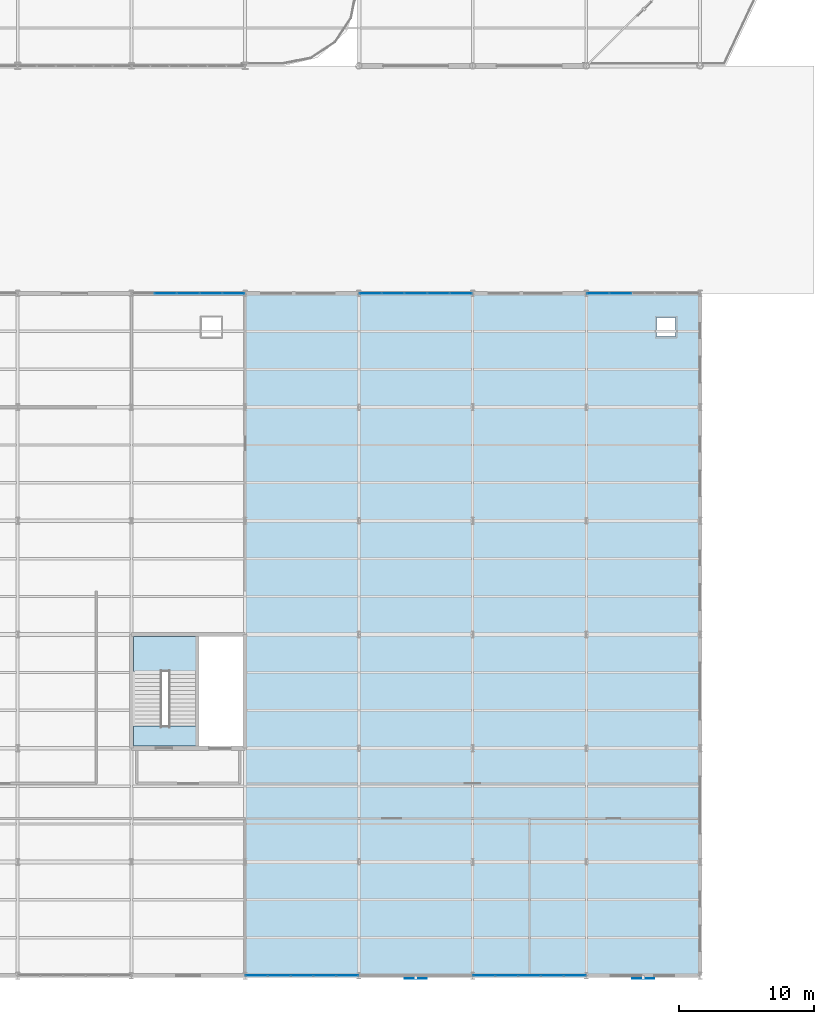
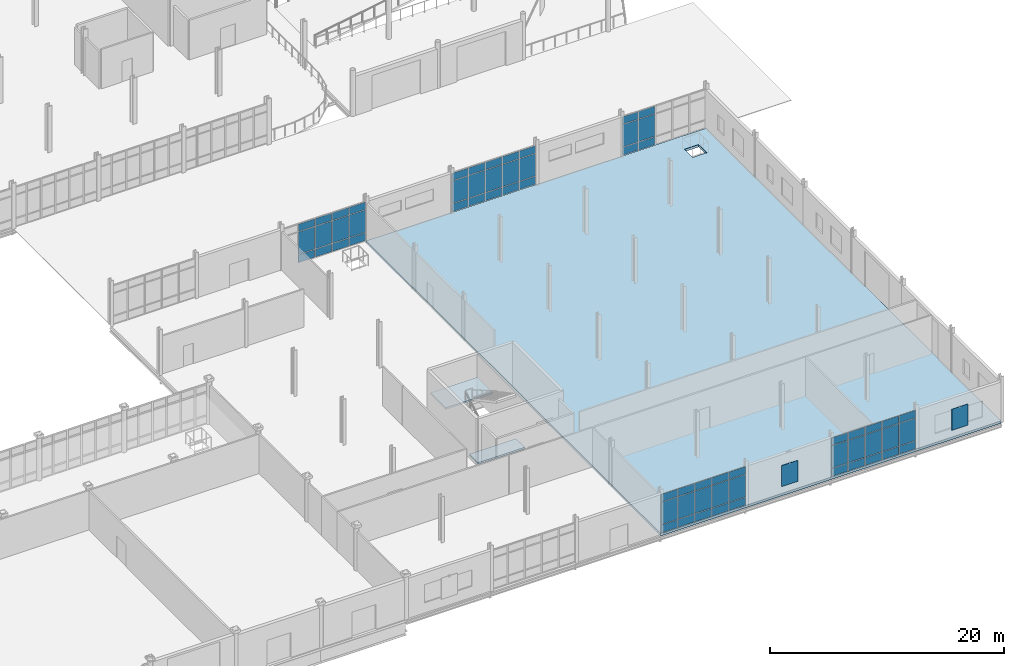
# One storey, part 120 of 145: 65 plates, 3 slabs, 6 elements without a shape of their own.
"""IFC4 building model written with IfcOpenShell, lengths in metres."""

import ifcopenshell
import ifcopenshell.guid

model = None  # the IFC model being written
_history = None  # IfcOwnerHistory: only IFC2X3 demands one
_inside = {}  # id of a spatial element -> (the spatial element, [elements in it])
_under = {}  # id of a project, library or spatial element -> (it, [spatial elements below it])
_declared = {}  # id of a project -> (the project, [libraries it declares])
_typed = {}  # id of a type object -> (the type object, [elements of that type])
_made_of = {}  # id of a material, layer set ... -> (it, [elements and type objects made of it])


def new_model(schema):
    """Start an empty IFC model of exactly this schema.

    Asked for "IFC4X3", IfcOpenShell would pick the latest addendum, in which some entities
    have other attributes; the version numbers below select the first issue.
    IFC2X3 requires an IfcOwnerHistory on every rooted entity: one is made here for all.
    """
    global model, _history
    if schema == "IFC4X3":
        model = ifcopenshell.file(schema_version=(4, 3, 0, 0))
    else:
        model = ifcopenshell.file(schema=schema)
    _inside.clear()
    _under.clear()
    _declared.clear()
    _typed.clear()
    _made_of.clear()
    _history = None
    if model.schema == "IFC2X3":
        org = make("IfcOrganization", Name="unknown")
        user = make(
            "IfcPersonAndOrganization",
            ThePerson=make("IfcPerson", FamilyName="unknown"),
            TheOrganization=org,
        )
        app = make(
            "IfcApplication",
            ApplicationDeveloper=org,
            Version="unknown",
            ApplicationFullName="unknown",
            ApplicationIdentifier="unknown",
        )
        _history = make(
            "IfcOwnerHistory",
            OwningUser=user,
            OwningApplication=app,
            ChangeAction="ADDED",
            CreationDate=0,
        )
    return model


def make(cls, **values):
    """One entity of the class cls with the attributes given. An attribute that is None is left unset."""
    return model.create_entity(
        cls, **{name: value for name, value in values.items() if value is not None}
    )


def rooted(cls, **values):
    """An entity with a GlobalId (a new one), such as an element, a storey or a relation."""
    return make(cls, GlobalId=ifcopenshell.guid.new(), OwnerHistory=_history, **values)


def si_unit(unit_type, name, prefix=None):
    """IfcSIUnit, for example si_unit("LENGTHUNIT", "METRE", prefix="MILLI")."""
    return make("IfcSIUnit", UnitType=unit_type, Prefix=prefix, Name=name)


def assignment(units):
    """IfcUnitAssignment: the units of a project."""
    return None if units is None else make("IfcUnitAssignment", Units=units)


def point(xyz):
    """IfcCartesianPoint."""
    return None if xyz is None else make("IfcCartesianPoint", Coordinates=xyz)


def direction(xyz):
    """IfcDirection."""
    return None if xyz is None else make("IfcDirection", DirectionRatios=xyz)


def frame(location, z_axis=None, x_axis=None):
    """IfcAxis2Placement3D, a coordinate frame: its origin and axes. An axis left out is left unset."""
    return make(
        "IfcAxis2Placement3D",
        Location=point(location),
        Axis=direction(z_axis),
        RefDirection=direction(x_axis),
    )


def frame_2d(location, x_axis=None):
    """IfcAxis2Placement2D, a coordinate frame in the plane: its origin and x axis."""
    return make(
        "IfcAxis2Placement2D", Location=point(location), RefDirection=direction(x_axis)
    )


def origin():
    """The frame at (0, 0, 0) with its axes left unset."""
    return frame((0.0, 0.0, 0.0))


def origin_2d():
    """The frame at (0, 0) in the plane with its x axis left unset."""
    return frame_2d((0.0, 0.0))


def place(relative_to, where):
    """IfcLocalPlacement: puts the frame where relative to a parent placement (None: the world)."""
    return make(
        "IfcLocalPlacement", PlacementRelTo=relative_to, RelativePlacement=where
    )


def context(
    kind, dimensions, precision=None, world=None, true_north=None, identifier=None
):
    """IfcGeometricRepresentationContext, for example the 3D "Model" context."""
    return make(
        "IfcGeometricRepresentationContext",
        ContextIdentifier=identifier,
        ContextType=kind,
        CoordinateSpaceDimension=dimensions,
        Precision=precision,
        WorldCoordinateSystem=world,
        TrueNorth=true_north,
    )


def subcontext(parent, identifier, kind, view, scale=None):
    """IfcGeometricRepresentationSubContext, for example "Body" below "Model"."""
    return make(
        "IfcGeometricRepresentationSubContext",
        ContextIdentifier=identifier,
        ContextType=kind,
        ParentContext=parent,
        TargetScale=scale,
        TargetView=view,
    )


def project(units=None, contexts=None):
    """IfcProject with its units and contexts."""
    return rooted(
        "IfcProject",
        Name="project",
        RepresentationContexts=contexts,
        UnitsInContext=assignment(units),
    )


def spatial(cls, under=None, at=None, **own):
    """A site, building, storey or space (cls), placed at a placement, below another one or the project."""
    s = rooted(cls, ObjectPlacement=at, **own)
    if under is not None:
        _under.setdefault(under.id(), (under, []))[1].append(s)
    return s


def polyline(points):
    """IfcPolyline through the points."""
    return make("IfcPolyline", Points=[point(p) for p in points])


def profile(cls, at=None, kind="AREA", **sizes):
    """A parametric profile (cls). Its sizes go by their IFC names, for example OverallWidth=200.0."""
    return make(cls, ProfileType=kind, Position=at, **sizes)


def rectangle(**sizes):
    """IfcRectangleProfileDef."""
    return profile("IfcRectangleProfileDef", **sizes)


def outline(outer, holes=None, kind="AREA"):
    """IfcArbitraryClosedProfileDef: a profile drawn as a closed curve; with holes, ...WithVoids."""
    if holes is None:
        return make("IfcArbitraryClosedProfileDef", ProfileType=kind, OuterCurve=outer)
    return make(
        "IfcArbitraryProfileDefWithVoids",
        ProfileType=kind,
        OuterCurve=outer,
        InnerCurves=holes,
    )


def extrude(swept, where, along, depth):
    """IfcExtrudedAreaSolid: the profile swept, set in the frame where, extruded along a direction by depth."""
    return make(
        "IfcExtrudedAreaSolid",
        SweptArea=swept,
        Position=where,
        ExtrudedDirection=direction(along),
        Depth=depth,
    )


def shape(context_of_items, identifier, shape_type, items):
    """IfcShapeRepresentation: the items that make up one representation, for example the "Body"."""
    return make(
        "IfcShapeRepresentation",
        ContextOfItems=context_of_items,
        RepresentationIdentifier=identifier,
        RepresentationType=shape_type,
        Items=items,
    )


def material(Name=None, Category=None):
    """IfcMaterial."""
    return make("IfcMaterial", Name=Name, Category=Category)


def layer(
    of_material, thickness, ventilated=None, Name=None, Category=None, Priority=None
):
    """IfcMaterialLayer: one layer of a wall or slab, of a material (None: an air gap)."""
    return make(
        "IfcMaterialLayer",
        Material=of_material,
        LayerThickness=thickness,
        IsVentilated=ventilated,
        Name=Name,
        Category=Category,
        Priority=Priority,
    )


def layer_set(layers, Name=None):
    """IfcMaterialLayerSet."""
    return make("IfcMaterialLayerSet", MaterialLayers=layers, LayerSetName=Name)


def made_of(thing, what):
    """Note that an element or type object is made of a material, layer set ...; save() writes the relation."""
    if what is not None:
        _made_of.setdefault(what.id(), (what, []))[1].append(thing)
    return thing


def type_object(cls, material=None, **own):
    """A type object (cls), such as IfcWallType, which elements share."""
    return made_of(rooted(cls, **own), material)


def element(
    cls,
    number,
    at=None,
    inside=None,
    cuts=None,
    type_object=None,
    material=None,
    context=None,
    identifier="Body",
    shape_type=None,
    held_by="IfcProductDefinitionShape",
    body=None,
    shapes=None,
    **own,
):
    """One element of the class cls, such as IfcWall. Its Tag is "e" and its number.

    at: its placement. inside: the storey or other place that contains it. cuts: it is an
    opening in that element (IfcRelVoidsElement). A single representation is given by context,
    identifier, shape_type and body (its items); several are given by shapes. held_by: the class
    of the entity that holds the representations. save() writes the other relations.
    """
    e = rooted(cls, Tag="e%d" % number, ObjectPlacement=at, **own)
    if body is not None:
        shapes = [shape(context, identifier, shape_type, body)]
    if shapes is not None:
        e.Representation = make(held_by, Representations=shapes)
    if inside is not None:
        _inside.setdefault(inside.id(), (inside, []))[1].append(e)
    if cuts is not None:
        rooted(
            "IfcRelVoidsElement", RelatingBuildingElement=cuts, RelatedOpeningElement=e
        )
    if type_object is not None:
        _typed.setdefault(type_object.id(), (type_object, []))[1].append(e)
    return made_of(e, material)


def aggregate(whole, parts):
    """IfcRelAggregates: a whole, such as a stair, and the parts it consists of."""
    return rooted("IfcRelAggregates", RelatingObject=whole, RelatedObjects=parts)


def save(model, path):
    """Write the relations noted so far, then the file.

    IfcRelAggregates (storeys below a building ...), IfcRelContainedInSpatialStructure (elements
    in a storey), IfcRelDefinesByType, IfcRelAssociatesMaterial and IfcRelDeclares: one each for
    every whole, place, type object, material and project.
    """
    for whole, parts in _under.values():
        aggregate(whole, parts)
    for where, things in _inside.values():
        rooted(
            "IfcRelContainedInSpatialStructure",
            RelatedElements=things,
            RelatingStructure=where,
        )
    for kind, things in _typed.values():
        rooted("IfcRelDefinesByType", RelatedObjects=things, RelatingType=kind)
    for what, things in _made_of.values():
        rooted("IfcRelAssociatesMaterial", RelatedObjects=things, RelatingMaterial=what)
    for by, libraries in _declared.values():
        rooted("IfcRelDeclares", RelatingContext=by, RelatedDefinitions=libraries)
    model.write(path)


model = new_model("IFC4")

# Units and contexts
model_context = context("Model", 3, precision=1e-05, world=origin(), true_north=direction((0.0, 1.0)))
body_context = subcontext(model_context, "Body", "Model", "MODEL_VIEW")
ifc_project = project(units=[si_unit("LENGTHUNIT", "METRE"), si_unit("AREAUNIT", "SQUARE_METRE"), si_unit("VOLUMEUNIT", "CUBIC_METRE"), si_unit("PLANEANGLEUNIT", "RADIAN"), si_unit("MASSUNIT", "GRAM", prefix="KILO")], contexts=[model_context])

# Site, building, storey
site_placement = place(None, origin())
site = spatial("IfcSite", under=ifc_project, at=site_placement, CompositionType="ELEMENT")
building_placement = place(site_placement, origin())
building = spatial("IfcBuilding", under=site, at=building_placement, Name="Qalvenar Corner Mobility Hub", CompositionType="ELEMENT")
storey_placement = place(building_placement, origin())
storey = spatial("IfcBuildingStorey", under=building, at=storey_placement, Name="L00", CompositionType="ELEMENT", Elevation=0.0)

# Curtain wall, plates
ifc_material_1 = material(Name="Anodised Aluminium and Low-E Glazing", Category="aluminium")
ifc_layer_1 = layer(ifc_material_1, 0.14990234375)
ifc_layer_set_1 = layer_set([ifc_layer_1], Name="Anodised Aluminium and Low-E Glazing")
curtain_wall_type = type_object("IfcCurtainWallType", Name="CW-WKS-84X44", PredefinedType="NOTDEFINED", material=ifc_layer_set_1)
curtain_wall_1_placement = place(storey_placement, origin())
curtain_wall_1 = element("IfcCurtainWall", 1, at=curtain_wall_1_placement, inside=storey, type_object=curtain_wall_type, Name="Glazed Curtain Wall CW-V6-L00-S3", PredefinedType="NOTDEFINED")
ifc_material_2 = material(Name="Solar-Control Low-E Double Glazing", Category="glass")
ifc_layer_2 = layer(ifc_material_2, 0.028076171875)
ifc_layer_set_2 = layer_set([ifc_layer_2], Name="Solar-Control Low-E Double Glazing")
plate_type_1 = type_object("IfcPlateType", Name="PLT-CWP-GLZ1", PredefinedType="CURTAIN_PANEL", material=ifc_layer_set_2)
plate_1_placement = place(storey_placement, frame((135.2548828125, 0.0, 0.05517578125), z_axis=(0.0, 0.0, 1.0), x_axis=(1.0, 0.0, 0.0)))
plate_1 = element("IfcPlate", 2, at=plate_1_placement, type_object=plate_type_1, Name="CW-09 panel 1.1", PredefinedType="CURTAIN_PANEL", context=body_context, shape_type="SweptSolid", body=[
    extrude(rectangle(XDim=1.590087890625, YDim=0.028076171875, at=origin_2d()), origin(), (0.0, 0.0, 1.0), 0.8173828125),
])
plate_2_placement = place(storey_placement, frame((135.2548828125, 0.0, 0.927734375), z_axis=(0.0, 0.0, 1.0), x_axis=(1.0, 0.0, 0.0)))
plate_2 = element("IfcPlate", 3, at=plate_2_placement, type_object=plate_type_1, Name="CW-09 panel 1.2", PredefinedType="CURTAIN_PANEL", context=body_context, shape_type="SweptSolid", body=[
    extrude(rectangle(XDim=1.590087890625, YDim=0.028076171875, at=origin_2d()), origin(), (0.0, 0.0, 1.0), 2.324951171875),
])
plate_3_placement = place(storey_placement, frame((135.2548828125, 0.0, 3.307373046875), z_axis=(0.0, 0.0, 1.0), x_axis=(1.0, 0.0, 0.0)))
plate_3 = element("IfcPlate", 4, at=plate_3_placement, type_object=plate_type_1, Name="CW-09 panel 1.3", PredefinedType="CURTAIN_PANEL", context=body_context, shape_type="SweptSolid", body=[
    extrude(rectangle(XDim=1.590087890625, YDim=0.028076171875, at=origin_2d()), origin(), (0.0, 0.0, 1.0), 0.767578125),
])
plate_4_placement = place(storey_placement, frame((136.919921875, 0.0, 0.05517578125), z_axis=(0.0, 0.0, 1.0), x_axis=(1.0, 0.0, 0.0)))
plate_4 = element("IfcPlate", 5, at=plate_4_placement, type_object=plate_type_1, Name="CW-09 panel 2.1", PredefinedType="CURTAIN_PANEL", context=body_context, shape_type="SweptSolid", body=[
    extrude(rectangle(XDim=1.6201171875, YDim=0.028076171875, at=origin_2d()), origin(), (0.0, 0.0, 1.0), 0.8173828125),
])
plate_5_placement = place(storey_placement, frame((136.919921875, 0.0, 0.927734375), z_axis=(0.0, 0.0, 1.0), x_axis=(1.0, 0.0, 0.0)))
plate_5 = element("IfcPlate", 6, at=plate_5_placement, type_object=plate_type_1, Name="CW-09 panel 2.2", PredefinedType="CURTAIN_PANEL", context=body_context, shape_type="SweptSolid", body=[
    extrude(rectangle(XDim=1.6201171875, YDim=0.028076171875, at=origin_2d()), origin(), (0.0, 0.0, 1.0), 2.324951171875),
])
plate_6_placement = place(storey_placement, frame((136.919921875, 0.0, 3.307373046875), z_axis=(0.0, 0.0, 1.0), x_axis=(1.0, 0.0, 0.0)))
plate_6 = element("IfcPlate", 7, at=plate_6_placement, type_object=plate_type_1, Name="CW-09 panel 2.3", PredefinedType="CURTAIN_PANEL", context=body_context, shape_type="SweptSolid", body=[
    extrude(rectangle(XDim=1.6201171875, YDim=0.028076171875, at=origin_2d()), origin(), (0.0, 0.0, 1.0), 0.767578125),
])
plate_7_placement = place(storey_placement, frame((138.60009765625, 0.0, 0.05517578125), z_axis=(0.0, 0.0, 1.0), x_axis=(1.0, 0.0, 0.0)))
plate_7 = element("IfcPlate", 8, at=plate_7_placement, type_object=plate_type_1, Name="CW-09 panel 3.1", PredefinedType="CURTAIN_PANEL", context=body_context, shape_type="SweptSolid", body=[
    extrude(rectangle(XDim=1.6201171875, YDim=0.028076171875, at=origin_2d()), origin(), (0.0, 0.0, 1.0), 0.8173828125),
])
plate_8_placement = place(storey_placement, frame((138.60009765625, 0.0, 0.927734375), z_axis=(0.0, 0.0, 1.0), x_axis=(1.0, 0.0, 0.0)))
plate_8 = element("IfcPlate", 9, at=plate_8_placement, type_object=plate_type_1, Name="CW-09 panel 3.2", PredefinedType="CURTAIN_PANEL", context=body_context, shape_type="SweptSolid", body=[
    extrude(rectangle(XDim=1.6201171875, YDim=0.028076171875, at=origin_2d()), origin(), (0.0, 0.0, 1.0), 2.324951171875),
])
plate_9_placement = place(storey_placement, frame((138.60009765625, 0.0, 3.307373046875), z_axis=(0.0, 0.0, 1.0), x_axis=(1.0, 0.0, 0.0)))
plate_9 = element("IfcPlate", 10, at=plate_9_placement, type_object=plate_type_1, Name="CW-09 panel 3.3", PredefinedType="CURTAIN_PANEL", context=body_context, shape_type="SweptSolid", body=[
    extrude(rectangle(XDim=1.6201171875, YDim=0.028076171875, at=origin_2d()), origin(), (0.0, 0.0, 1.0), 0.767578125),
])
plate_10_placement = place(storey_placement, frame((140.280029296875, 0.0, 0.05517578125), z_axis=(0.0, 0.0, 1.0), x_axis=(1.0, 0.0, 0.0)))
plate_10 = element("IfcPlate", 11, at=plate_10_placement, type_object=plate_type_1, Name="CW-09 panel 4.1", PredefinedType="CURTAIN_PANEL", context=body_context, shape_type="SweptSolid", body=[
    extrude(rectangle(XDim=1.6201171875, YDim=0.028076171875, at=origin_2d()), origin(), (0.0, 0.0, 1.0), 0.8173828125),
])
plate_11_placement = place(storey_placement, frame((140.280029296875, 0.0, 0.927734375), z_axis=(0.0, 0.0, 1.0), x_axis=(1.0, 0.0, 0.0)))
plate_11 = element("IfcPlate", 12, at=plate_11_placement, type_object=plate_type_1, Name="CW-09 panel 4.2", PredefinedType="CURTAIN_PANEL", context=body_context, shape_type="SweptSolid", body=[
    extrude(rectangle(XDim=1.6201171875, YDim=0.028076171875, at=origin_2d()), origin(), (0.0, 0.0, 1.0), 2.324951171875),
])
plate_12_placement = place(storey_placement, frame((140.280029296875, 0.0, 3.307373046875), z_axis=(0.0, 0.0, 1.0), x_axis=(1.0, 0.0, 0.0)))
plate_12 = element("IfcPlate", 13, at=plate_12_placement, type_object=plate_type_1, Name="CW-09 panel 4.3", PredefinedType="CURTAIN_PANEL", context=body_context, shape_type="SweptSolid", body=[
    extrude(rectangle(XDim=1.6201171875, YDim=0.028076171875, at=origin_2d()), origin(), (0.0, 0.0, 1.0), 0.767578125),
])
plate_13_placement = place(storey_placement, frame((141.945068359375, 0.0, 0.05517578125), z_axis=(0.0, 0.0, 1.0), x_axis=(1.0, 0.0, 0.0)))
plate_13 = element("IfcPlate", 14, at=plate_13_placement, type_object=plate_type_1, Name="CW-09 panel 5.1", PredefinedType="CURTAIN_PANEL", context=body_context, shape_type="SweptSolid", body=[
    extrude(rectangle(XDim=1.590087890625, YDim=0.028076171875, at=origin_2d()), origin(), (0.0, 0.0, 1.0), 0.8173828125),
])
plate_14_placement = place(storey_placement, frame((141.945068359375, 0.0, 0.927734375), z_axis=(0.0, 0.0, 1.0), x_axis=(1.0, 0.0, 0.0)))
plate_14 = element("IfcPlate", 15, at=plate_14_placement, type_object=plate_type_1, Name="CW-09 panel 5.2", PredefinedType="CURTAIN_PANEL", context=body_context, shape_type="SweptSolid", body=[
    extrude(rectangle(XDim=1.590087890625, YDim=0.028076171875, at=origin_2d()), origin(), (0.0, 0.0, 1.0), 2.324951171875),
])
plate_15_placement = place(storey_placement, frame((141.945068359375, 0.0, 3.307373046875), z_axis=(0.0, 0.0, 1.0), x_axis=(1.0, 0.0, 0.0)))
plate_15 = element("IfcPlate", 16, at=plate_15_placement, type_object=plate_type_1, Name="CW-09 panel 5.3", PredefinedType="CURTAIN_PANEL", context=body_context, shape_type="SweptSolid", body=[
    extrude(rectangle(XDim=1.590087890625, YDim=0.028076171875, at=origin_2d()), origin(), (0.0, 0.0, 1.0), 0.767578125),
])
aggregate(curtain_wall_1, [plate_1, plate_2, plate_3, plate_4, plate_5, plate_6, plate_7, plate_8, plate_9, plate_10, plate_11, plate_12, plate_13, plate_14, plate_15])

curtain_wall_2_placement = place(storey_placement, origin())
curtain_wall_2 = element("IfcCurtainWall", 17, at=curtain_wall_2_placement, inside=storey, type_object=curtain_wall_type, Name="Glazed Curtain Wall CW-V6-L00-S5", PredefinedType="NOTDEFINED")
plate_16_placement = place(storey_placement, frame((152.054931640625, 0.0, 0.05517578125), z_axis=(0.0, 0.0, 1.0), x_axis=(1.0, 0.0, 0.0)))
plate_16 = element("IfcPlate", 18, at=plate_16_placement, type_object=plate_type_1, Name="CW-09 panel 1.1", PredefinedType="CURTAIN_PANEL", context=body_context, shape_type="SweptSolid", body=[
    extrude(rectangle(XDim=1.590087890625, YDim=0.028076171875, at=origin_2d()), origin(), (0.0, 0.0, 1.0), 0.8173828125),
])
plate_17_placement = place(storey_placement, frame((152.054931640625, 0.0, 0.927734375), z_axis=(0.0, 0.0, 1.0), x_axis=(1.0, 0.0, 0.0)))
plate_17 = element("IfcPlate", 19, at=plate_17_placement, type_object=plate_type_1, Name="CW-09 panel 1.2", PredefinedType="CURTAIN_PANEL", context=body_context, shape_type="SweptSolid", body=[
    extrude(rectangle(XDim=1.590087890625, YDim=0.028076171875, at=origin_2d()), origin(), (0.0, 0.0, 1.0), 2.324951171875),
])
plate_18_placement = place(storey_placement, frame((152.054931640625, 0.0, 3.307373046875), z_axis=(0.0, 0.0, 1.0), x_axis=(1.0, 0.0, 0.0)))
plate_18 = element("IfcPlate", 20, at=plate_18_placement, type_object=plate_type_1, Name="CW-09 panel 1.3", PredefinedType="CURTAIN_PANEL", context=body_context, shape_type="SweptSolid", body=[
    extrude(rectangle(XDim=1.590087890625, YDim=0.028076171875, at=origin_2d()), origin(), (0.0, 0.0, 1.0), 0.767578125),
])
plate_19_placement = place(storey_placement, frame((153.719970703125, 0.0, 0.05517578125), z_axis=(0.0, 0.0, 1.0), x_axis=(1.0, 0.0, 0.0)))
plate_19 = element("IfcPlate", 21, at=plate_19_placement, type_object=plate_type_1, Name="CW-09 panel 2.1", PredefinedType="CURTAIN_PANEL", context=body_context, shape_type="SweptSolid", body=[
    extrude(rectangle(XDim=1.6201171875, YDim=0.028076171875, at=origin_2d()), origin(), (0.0, 0.0, 1.0), 0.8173828125),
])
plate_20_placement = place(storey_placement, frame((153.719970703125, 0.0, 0.927734375), z_axis=(0.0, 0.0, 1.0), x_axis=(1.0, 0.0, 0.0)))
plate_20 = element("IfcPlate", 22, at=plate_20_placement, type_object=plate_type_1, Name="CW-09 panel 2.2", PredefinedType="CURTAIN_PANEL", context=body_context, shape_type="SweptSolid", body=[
    extrude(rectangle(XDim=1.6201171875, YDim=0.028076171875, at=origin_2d()), origin(), (0.0, 0.0, 1.0), 2.324951171875),
])
plate_21_placement = place(storey_placement, frame((153.719970703125, 0.0, 3.307373046875), z_axis=(0.0, 0.0, 1.0), x_axis=(1.0, 0.0, 0.0)))
plate_21 = element("IfcPlate", 23, at=plate_21_placement, type_object=plate_type_1, Name="CW-09 panel 2.3", PredefinedType="CURTAIN_PANEL", context=body_context, shape_type="SweptSolid", body=[
    extrude(rectangle(XDim=1.6201171875, YDim=0.028076171875, at=origin_2d()), origin(), (0.0, 0.0, 1.0), 0.767578125),
])
plate_22_placement = place(storey_placement, frame((155.39990234375, 0.0, 0.05517578125), z_axis=(0.0, 0.0, 1.0), x_axis=(1.0, 0.0, 0.0)))
plate_22 = element("IfcPlate", 24, at=plate_22_placement, type_object=plate_type_1, Name="CW-09 panel 3.1", PredefinedType="CURTAIN_PANEL", context=body_context, shape_type="SweptSolid", body=[
    extrude(rectangle(XDim=1.6201171875, YDim=0.028076171875, at=origin_2d()), origin(), (0.0, 0.0, 1.0), 0.8173828125),
])
plate_23_placement = place(storey_placement, frame((155.39990234375, 0.0, 0.927734375), z_axis=(0.0, 0.0, 1.0), x_axis=(1.0, 0.0, 0.0)))
plate_23 = element("IfcPlate", 25, at=plate_23_placement, type_object=plate_type_1, Name="CW-09 panel 3.2", PredefinedType="CURTAIN_PANEL", context=body_context, shape_type="SweptSolid", body=[
    extrude(rectangle(XDim=1.6201171875, YDim=0.028076171875, at=origin_2d()), origin(), (0.0, 0.0, 1.0), 2.324951171875),
])
plate_24_placement = place(storey_placement, frame((155.39990234375, 0.0, 3.307373046875), z_axis=(0.0, 0.0, 1.0), x_axis=(1.0, 0.0, 0.0)))
plate_24 = element("IfcPlate", 26, at=plate_24_placement, type_object=plate_type_1, Name="CW-09 panel 3.3", PredefinedType="CURTAIN_PANEL", context=body_context, shape_type="SweptSolid", body=[
    extrude(rectangle(XDim=1.6201171875, YDim=0.028076171875, at=origin_2d()), origin(), (0.0, 0.0, 1.0), 0.767578125),
])
plate_25_placement = place(storey_placement, frame((157.080078125, 0.0, 0.05517578125), z_axis=(0.0, 0.0, 1.0), x_axis=(1.0, 0.0, 0.0)))
plate_25 = element("IfcPlate", 27, at=plate_25_placement, type_object=plate_type_1, Name="CW-09 panel 4.1", PredefinedType="CURTAIN_PANEL", context=body_context, shape_type="SweptSolid", body=[
    extrude(rectangle(XDim=1.6201171875, YDim=0.028076171875, at=origin_2d()), origin(), (0.0, 0.0, 1.0), 0.8173828125),
])
plate_26_placement = place(storey_placement, frame((157.080078125, 0.0, 0.927734375), z_axis=(0.0, 0.0, 1.0), x_axis=(1.0, 0.0, 0.0)))
plate_26 = element("IfcPlate", 28, at=plate_26_placement, type_object=plate_type_1, Name="CW-09 panel 4.2", PredefinedType="CURTAIN_PANEL", context=body_context, shape_type="SweptSolid", body=[
    extrude(rectangle(XDim=1.6201171875, YDim=0.028076171875, at=origin_2d()), origin(), (0.0, 0.0, 1.0), 2.324951171875),
])
plate_27_placement = place(storey_placement, frame((157.080078125, 0.0, 3.307373046875), z_axis=(0.0, 0.0, 1.0), x_axis=(1.0, 0.0, 0.0)))
plate_27 = element("IfcPlate", 29, at=plate_27_placement, type_object=plate_type_1, Name="CW-09 panel 4.3", PredefinedType="CURTAIN_PANEL", context=body_context, shape_type="SweptSolid", body=[
    extrude(rectangle(XDim=1.6201171875, YDim=0.028076171875, at=origin_2d()), origin(), (0.0, 0.0, 1.0), 0.767578125),
])
plate_28_placement = place(storey_placement, frame((158.7451171875, 0.0, 0.05517578125), z_axis=(0.0, 0.0, 1.0), x_axis=(1.0, 0.0, 0.0)))
plate_28 = element("IfcPlate", 30, at=plate_28_placement, type_object=plate_type_1, Name="CW-09 panel 5.1", PredefinedType="CURTAIN_PANEL", context=body_context, shape_type="SweptSolid", body=[
    extrude(rectangle(XDim=1.590087890625, YDim=0.028076171875, at=origin_2d()), origin(), (0.0, 0.0, 1.0), 0.8173828125),
])
plate_29_placement = place(storey_placement, frame((158.7451171875, 0.0, 0.927734375), z_axis=(0.0, 0.0, 1.0), x_axis=(1.0, 0.0, 0.0)))
plate_29 = element("IfcPlate", 31, at=plate_29_placement, type_object=plate_type_1, Name="CW-09 panel 5.2", PredefinedType="CURTAIN_PANEL", context=body_context, shape_type="SweptSolid", body=[
    extrude(rectangle(XDim=1.590087890625, YDim=0.028076171875, at=origin_2d()), origin(), (0.0, 0.0, 1.0), 2.324951171875),
])
plate_30_placement = place(storey_placement, frame((158.7451171875, 0.0, 3.307373046875), z_axis=(0.0, 0.0, 1.0), x_axis=(1.0, 0.0, 0.0)))
plate_30 = element("IfcPlate", 32, at=plate_30_placement, type_object=plate_type_1, Name="CW-09 panel 5.3", PredefinedType="CURTAIN_PANEL", context=body_context, shape_type="SweptSolid", body=[
    extrude(rectangle(XDim=1.590087890625, YDim=0.028076171875, at=origin_2d()), origin(), (0.0, 0.0, 1.0), 0.767578125),
])
aggregate(curtain_wall_2, [plate_16, plate_17, plate_18, plate_19, plate_20, plate_21, plate_22, plate_23, plate_24, plate_25, plate_26, plate_27, plate_28, plate_29, plate_30])

curtain_wall_3_placement = place(storey_placement, origin())
curtain_wall_3 = element("IfcCurtainWall", 33, at=curtain_wall_3_placement, inside=storey, type_object=curtain_wall_type, Name="Glazed Curtain Wall CW-V6-L00-N2", PredefinedType="NOTDEFINED")
plate_31_placement = place(storey_placement, frame((133.544921875, 50.39990234375, 0.05517578125), z_axis=(0.0, 0.0, 1.0), x_axis=(-1.0, 0.0, 0.0)))
plate_31 = element("IfcPlate", 34, at=plate_31_placement, type_object=plate_type_1, Name="CW-09 panel 1.1", PredefinedType="CURTAIN_PANEL", context=body_context, shape_type="SweptSolid", body=[
    extrude(rectangle(XDim=1.590087890625, YDim=0.028076171875, at=origin_2d()), origin(), (0.0, 0.0, 1.0), 0.8173828125),
])
plate_32_placement = place(storey_placement, frame((133.544921875, 50.39990234375, 0.927734375), z_axis=(0.0, 0.0, 1.0), x_axis=(-1.0, 0.0, 0.0)))
plate_32 = element("IfcPlate", 35, at=plate_32_placement, type_object=plate_type_1, Name="CW-09 panel 1.2", PredefinedType="CURTAIN_PANEL", context=body_context, shape_type="SweptSolid", body=[
    extrude(rectangle(XDim=1.590087890625, YDim=0.028076171875, at=origin_2d()), origin(), (0.0, 0.0, 1.0), 2.324951171875),
])
plate_33_placement = place(storey_placement, frame((133.544921875, 50.39990234375, 3.307373046875), z_axis=(0.0, 0.0, 1.0), x_axis=(-1.0, 0.0, 0.0)))
plate_33 = element("IfcPlate", 36, at=plate_33_placement, type_object=plate_type_1, Name="CW-09 panel 1.3", PredefinedType="CURTAIN_PANEL", context=body_context, shape_type="SweptSolid", body=[
    extrude(rectangle(XDim=1.590087890625, YDim=0.028076171875, at=origin_2d()), origin(), (0.0, 0.0, 1.0), 0.767578125),
])
plate_34_placement = place(storey_placement, frame((131.8798828125, 50.39990234375, 0.05517578125), z_axis=(0.0, 0.0, 1.0), x_axis=(-1.0, 0.0, 0.0)))
plate_34 = element("IfcPlate", 37, at=plate_34_placement, type_object=plate_type_1, Name="CW-09 panel 2.1", PredefinedType="CURTAIN_PANEL", context=body_context, shape_type="SweptSolid", body=[
    extrude(rectangle(XDim=1.6201171875, YDim=0.028076171875, at=origin_2d()), origin(), (0.0, 0.0, 1.0), 0.8173828125),
])
plate_35_placement = place(storey_placement, frame((131.8798828125, 50.39990234375, 0.927734375), z_axis=(0.0, 0.0, 1.0), x_axis=(-1.0, 0.0, 0.0)))
plate_35 = element("IfcPlate", 38, at=plate_35_placement, type_object=plate_type_1, Name="CW-09 panel 2.2", PredefinedType="CURTAIN_PANEL", context=body_context, shape_type="SweptSolid", body=[
    extrude(rectangle(XDim=1.6201171875, YDim=0.028076171875, at=origin_2d()), origin(), (0.0, 0.0, 1.0), 2.324951171875),
])
plate_36_placement = place(storey_placement, frame((131.8798828125, 50.39990234375, 3.307373046875), z_axis=(0.0, 0.0, 1.0), x_axis=(-1.0, 0.0, 0.0)))
plate_36 = element("IfcPlate", 39, at=plate_36_placement, type_object=plate_type_1, Name="CW-09 panel 2.3", PredefinedType="CURTAIN_PANEL", context=body_context, shape_type="SweptSolid", body=[
    extrude(rectangle(XDim=1.6201171875, YDim=0.028076171875, at=origin_2d()), origin(), (0.0, 0.0, 1.0), 0.767578125),
])
plate_37_placement = place(storey_placement, frame((130.199951171875, 50.39990234375, 0.05517578125), z_axis=(0.0, 0.0, 1.0), x_axis=(-1.0, 0.0, 0.0)))
plate_37 = element("IfcPlate", 40, at=plate_37_placement, type_object=plate_type_1, Name="CW-09 panel 3.1", PredefinedType="CURTAIN_PANEL", context=body_context, shape_type="SweptSolid", body=[
    extrude(rectangle(XDim=1.6201171875, YDim=0.028076171875, at=origin_2d()), origin(), (0.0, 0.0, 1.0), 0.8173828125),
])
plate_38_placement = place(storey_placement, frame((130.199951171875, 50.39990234375, 0.927734375), z_axis=(0.0, 0.0, 1.0), x_axis=(-1.0, 0.0, 0.0)))
plate_38 = element("IfcPlate", 41, at=plate_38_placement, type_object=plate_type_1, Name="CW-09 panel 3.2", PredefinedType="CURTAIN_PANEL", context=body_context, shape_type="SweptSolid", body=[
    extrude(rectangle(XDim=1.6201171875, YDim=0.028076171875, at=origin_2d()), origin(), (0.0, 0.0, 1.0), 2.324951171875),
])
plate_39_placement = place(storey_placement, frame((130.199951171875, 50.39990234375, 3.307373046875), z_axis=(0.0, 0.0, 1.0), x_axis=(-1.0, 0.0, 0.0)))
plate_39 = element("IfcPlate", 42, at=plate_39_placement, type_object=plate_type_1, Name="CW-09 panel 3.3", PredefinedType="CURTAIN_PANEL", context=body_context, shape_type="SweptSolid", body=[
    extrude(rectangle(XDim=1.6201171875, YDim=0.028076171875, at=origin_2d()), origin(), (0.0, 0.0, 1.0), 0.767578125),
])
plate_40_placement = place(storey_placement, frame((128.52001953125, 50.39990234375, 0.05517578125), z_axis=(0.0, 0.0, 1.0), x_axis=(-1.0, 0.0, 0.0)))
plate_40 = element("IfcPlate", 43, at=plate_40_placement, type_object=plate_type_1, Name="CW-09 panel 4.1", PredefinedType="CURTAIN_PANEL", context=body_context, shape_type="SweptSolid", body=[
    extrude(rectangle(XDim=1.6201171875, YDim=0.028076171875, at=origin_2d()), origin(), (0.0, 0.0, 1.0), 0.8173828125),
])
plate_41_placement = place(storey_placement, frame((128.52001953125, 50.39990234375, 0.927734375), z_axis=(0.0, 0.0, 1.0), x_axis=(-1.0, 0.0, 0.0)))
plate_41 = element("IfcPlate", 44, at=plate_41_placement, type_object=plate_type_1, Name="CW-09 panel 4.2", PredefinedType="CURTAIN_PANEL", context=body_context, shape_type="SweptSolid", body=[
    extrude(rectangle(XDim=1.6201171875, YDim=0.028076171875, at=origin_2d()), origin(), (0.0, 0.0, 1.0), 2.324951171875),
])
plate_42_placement = place(storey_placement, frame((128.52001953125, 50.39990234375, 3.307373046875), z_axis=(0.0, 0.0, 1.0), x_axis=(-1.0, 0.0, 0.0)))
plate_42 = element("IfcPlate", 45, at=plate_42_placement, type_object=plate_type_1, Name="CW-09 panel 4.3", PredefinedType="CURTAIN_PANEL", context=body_context, shape_type="SweptSolid", body=[
    extrude(rectangle(XDim=1.6201171875, YDim=0.028076171875, at=origin_2d()), origin(), (0.0, 0.0, 1.0), 0.767578125),
])
aggregate(curtain_wall_3, [plate_31, plate_32, plate_33, plate_34, plate_35, plate_36, plate_37, plate_38, plate_39, plate_40, plate_41, plate_42])

curtain_wall_4_placement = place(storey_placement, origin())
curtain_wall_4 = element("IfcCurtainWall", 46, at=curtain_wall_4_placement, inside=storey, type_object=curtain_wall_type, Name="Glazed Curtain Wall CW-V6-L00-N4", PredefinedType="NOTDEFINED")
plate_43_placement = place(storey_placement, frame((150.344970703125, 50.39990234375, 0.05517578125), z_axis=(0.0, 0.0, 1.0), x_axis=(-1.0, 0.0, 0.0)))
plate_43 = element("IfcPlate", 47, at=plate_43_placement, type_object=plate_type_1, Name="CW-09 panel 1.1", PredefinedType="CURTAIN_PANEL", context=body_context, shape_type="SweptSolid", body=[
    extrude(rectangle(XDim=1.590087890625, YDim=0.028076171875, at=origin_2d()), origin(), (0.0, 0.0, 1.0), 0.8173828125),
])
plate_44_placement = place(storey_placement, frame((150.344970703125, 50.39990234375, 0.927734375), z_axis=(0.0, 0.0, 1.0), x_axis=(-1.0, 0.0, 0.0)))
plate_44 = element("IfcPlate", 48, at=plate_44_placement, type_object=plate_type_1, Name="CW-09 panel 1.2", PredefinedType="CURTAIN_PANEL", context=body_context, shape_type="SweptSolid", body=[
    extrude(rectangle(XDim=1.590087890625, YDim=0.028076171875, at=origin_2d()), origin(), (0.0, 0.0, 1.0), 2.324951171875),
])
plate_45_placement = place(storey_placement, frame((150.344970703125, 50.39990234375, 3.307373046875), z_axis=(0.0, 0.0, 1.0), x_axis=(-1.0, 0.0, 0.0)))
plate_45 = element("IfcPlate", 49, at=plate_45_placement, type_object=plate_type_1, Name="CW-09 panel 1.3", PredefinedType="CURTAIN_PANEL", context=body_context, shape_type="SweptSolid", body=[
    extrude(rectangle(XDim=1.590087890625, YDim=0.028076171875, at=origin_2d()), origin(), (0.0, 0.0, 1.0), 0.767578125),
])
plate_46_placement = place(storey_placement, frame((148.679931640625, 50.39990234375, 0.05517578125), z_axis=(0.0, 0.0, 1.0), x_axis=(-1.0, 0.0, 0.0)))
plate_46 = element("IfcPlate", 50, at=plate_46_placement, type_object=plate_type_1, Name="CW-09 panel 2.1", PredefinedType="CURTAIN_PANEL", context=body_context, shape_type="SweptSolid", body=[
    extrude(rectangle(XDim=1.6201171875, YDim=0.028076171875, at=origin_2d()), origin(), (0.0, 0.0, 1.0), 0.8173828125),
])
plate_47_placement = place(storey_placement, frame((148.679931640625, 50.39990234375, 0.927734375), z_axis=(0.0, 0.0, 1.0), x_axis=(-1.0, 0.0, 0.0)))
plate_47 = element("IfcPlate", 51, at=plate_47_placement, type_object=plate_type_1, Name="CW-09 panel 2.2", PredefinedType="CURTAIN_PANEL", context=body_context, shape_type="SweptSolid", body=[
    extrude(rectangle(XDim=1.6201171875, YDim=0.028076171875, at=origin_2d()), origin(), (0.0, 0.0, 1.0), 2.324951171875),
])
plate_48_placement = place(storey_placement, frame((148.679931640625, 50.39990234375, 3.307373046875), z_axis=(0.0, 0.0, 1.0), x_axis=(-1.0, 0.0, 0.0)))
plate_48 = element("IfcPlate", 52, at=plate_48_placement, type_object=plate_type_1, Name="CW-09 panel 2.3", PredefinedType="CURTAIN_PANEL", context=body_context, shape_type="SweptSolid", body=[
    extrude(rectangle(XDim=1.6201171875, YDim=0.028076171875, at=origin_2d()), origin(), (0.0, 0.0, 1.0), 0.767578125),
])
plate_49_placement = place(storey_placement, frame((147.0, 50.39990234375, 0.05517578125), z_axis=(0.0, 0.0, 1.0), x_axis=(-1.0, 0.0, 0.0)))
plate_49 = element("IfcPlate", 53, at=plate_49_placement, type_object=plate_type_1, Name="CW-09 panel 3.1", PredefinedType="CURTAIN_PANEL", context=body_context, shape_type="SweptSolid", body=[
    extrude(rectangle(XDim=1.6201171875, YDim=0.028076171875, at=origin_2d()), origin(), (0.0, 0.0, 1.0), 0.8173828125),
])
plate_50_placement = place(storey_placement, frame((147.0, 50.39990234375, 0.927734375), z_axis=(0.0, 0.0, 1.0), x_axis=(-1.0, 0.0, 0.0)))
plate_50 = element("IfcPlate", 54, at=plate_50_placement, type_object=plate_type_1, Name="CW-09 panel 3.2", PredefinedType="CURTAIN_PANEL", context=body_context, shape_type="SweptSolid", body=[
    extrude(rectangle(XDim=1.6201171875, YDim=0.028076171875, at=origin_2d()), origin(), (0.0, 0.0, 1.0), 2.324951171875),
])
plate_51_placement = place(storey_placement, frame((147.0, 50.39990234375, 3.307373046875), z_axis=(0.0, 0.0, 1.0), x_axis=(-1.0, 0.0, 0.0)))
plate_51 = element("IfcPlate", 55, at=plate_51_placement, type_object=plate_type_1, Name="CW-09 panel 3.3", PredefinedType="CURTAIN_PANEL", context=body_context, shape_type="SweptSolid", body=[
    extrude(rectangle(XDim=1.6201171875, YDim=0.028076171875, at=origin_2d()), origin(), (0.0, 0.0, 1.0), 0.767578125),
])
plate_52_placement = place(storey_placement, frame((145.320068359375, 50.39990234375, 0.05517578125), z_axis=(0.0, 0.0, 1.0), x_axis=(-1.0, 0.0, 0.0)))
plate_52 = element("IfcPlate", 56, at=plate_52_placement, type_object=plate_type_1, Name="CW-09 panel 4.1", PredefinedType="CURTAIN_PANEL", context=body_context, shape_type="SweptSolid", body=[
    extrude(rectangle(XDim=1.6201171875, YDim=0.028076171875, at=origin_2d()), origin(), (0.0, 0.0, 1.0), 0.8173828125),
])
plate_53_placement = place(storey_placement, frame((145.320068359375, 50.39990234375, 0.927734375), z_axis=(0.0, 0.0, 1.0), x_axis=(-1.0, 0.0, 0.0)))
plate_53 = element("IfcPlate", 57, at=plate_53_placement, type_object=plate_type_1, Name="CW-09 panel 4.2", PredefinedType="CURTAIN_PANEL", context=body_context, shape_type="SweptSolid", body=[
    extrude(rectangle(XDim=1.6201171875, YDim=0.028076171875, at=origin_2d()), origin(), (0.0, 0.0, 1.0), 2.324951171875),
])
plate_54_placement = place(storey_placement, frame((145.320068359375, 50.39990234375, 3.307373046875), z_axis=(0.0, 0.0, 1.0), x_axis=(-1.0, 0.0, 0.0)))
plate_54 = element("IfcPlate", 58, at=plate_54_placement, type_object=plate_type_1, Name="CW-09 panel 4.3", PredefinedType="CURTAIN_PANEL", context=body_context, shape_type="SweptSolid", body=[
    extrude(rectangle(XDim=1.6201171875, YDim=0.028076171875, at=origin_2d()), origin(), (0.0, 0.0, 1.0), 0.767578125),
])
plate_55_placement = place(storey_placement, frame((143.655029296875, 50.39990234375, 0.05517578125), z_axis=(0.0, 0.0, 1.0), x_axis=(-1.0, 0.0, 0.0)))
plate_55 = element("IfcPlate", 59, at=plate_55_placement, type_object=plate_type_1, Name="CW-09 panel 5.1", PredefinedType="CURTAIN_PANEL", context=body_context, shape_type="SweptSolid", body=[
    extrude(rectangle(XDim=1.590087890625, YDim=0.028076171875, at=origin_2d()), origin(), (0.0, 0.0, 1.0), 0.8173828125),
])
plate_56_placement = place(storey_placement, frame((143.655029296875, 50.39990234375, 0.927734375), z_axis=(0.0, 0.0, 1.0), x_axis=(-1.0, 0.0, 0.0)))
plate_56 = element("IfcPlate", 60, at=plate_56_placement, type_object=plate_type_1, Name="CW-09 panel 5.2", PredefinedType="CURTAIN_PANEL", context=body_context, shape_type="SweptSolid", body=[
    extrude(rectangle(XDim=1.590087890625, YDim=0.028076171875, at=origin_2d()), origin(), (0.0, 0.0, 1.0), 2.324951171875),
])
plate_57_placement = place(storey_placement, frame((143.655029296875, 50.39990234375, 3.307373046875), z_axis=(0.0, 0.0, 1.0), x_axis=(-1.0, 0.0, 0.0)))
plate_57 = element("IfcPlate", 61, at=plate_57_placement, type_object=plate_type_1, Name="CW-09 panel 5.3", PredefinedType="CURTAIN_PANEL", context=body_context, shape_type="SweptSolid", body=[
    extrude(rectangle(XDim=1.590087890625, YDim=0.028076171875, at=origin_2d()), origin(), (0.0, 0.0, 1.0), 0.767578125),
])
aggregate(curtain_wall_4, [plate_43, plate_44, plate_45, plate_46, plate_47, plate_48, plate_49, plate_50, plate_51, plate_52, plate_53, plate_54, plate_55, plate_56, plate_57])

curtain_wall_5_placement = place(storey_placement, origin())
curtain_wall_5 = element("IfcCurtainWall", 62, at=curtain_wall_5_placement, inside=storey, type_object=curtain_wall_type, Name="Glazed Curtain Wall CW-V6-L00-N6", PredefinedType="NOTDEFINED")
plate_58_placement = place(storey_placement, frame((162.1201171875, 50.39990234375, 0.05517578125), z_axis=(0.0, 0.0, 1.0), x_axis=(-1.0, 0.0, 0.0)))
plate_58 = element("IfcPlate", 63, at=plate_58_placement, type_object=plate_type_1, Name="CW-09 panel 4.1", PredefinedType="CURTAIN_PANEL", context=body_context, shape_type="SweptSolid", body=[
    extrude(rectangle(XDim=1.6201171875, YDim=0.028076171875, at=origin_2d()), origin(), (0.0, 0.0, 1.0), 0.8173828125),
])
plate_59_placement = place(storey_placement, frame((162.1201171875, 50.39990234375, 0.927734375), z_axis=(0.0, 0.0, 1.0), x_axis=(-1.0, 0.0, 0.0)))
plate_59 = element("IfcPlate", 64, at=plate_59_placement, type_object=plate_type_1, Name="CW-09 panel 4.2", PredefinedType="CURTAIN_PANEL", context=body_context, shape_type="SweptSolid", body=[
    extrude(rectangle(XDim=1.6201171875, YDim=0.028076171875, at=origin_2d()), origin(), (0.0, 0.0, 1.0), 2.324951171875),
])
plate_60_placement = place(storey_placement, frame((162.1201171875, 50.39990234375, 3.307373046875), z_axis=(0.0, 0.0, 1.0), x_axis=(-1.0, 0.0, 0.0)))
plate_60 = element("IfcPlate", 65, at=plate_60_placement, type_object=plate_type_1, Name="CW-09 panel 4.3", PredefinedType="CURTAIN_PANEL", context=body_context, shape_type="SweptSolid", body=[
    extrude(rectangle(XDim=1.6201171875, YDim=0.028076171875, at=origin_2d()), origin(), (0.0, 0.0, 1.0), 0.767578125),
])
plate_61_placement = place(storey_placement, frame((160.455078125, 50.39990234375, 0.05517578125), z_axis=(0.0, 0.0, 1.0), x_axis=(-1.0, 0.0, 0.0)))
plate_61 = element("IfcPlate", 66, at=plate_61_placement, type_object=plate_type_1, Name="CW-09 panel 5.1", PredefinedType="CURTAIN_PANEL", context=body_context, shape_type="SweptSolid", body=[
    extrude(rectangle(XDim=1.590087890625, YDim=0.028076171875, at=origin_2d()), origin(), (0.0, 0.0, 1.0), 0.8173828125),
])
plate_62_placement = place(storey_placement, frame((160.455078125, 50.39990234375, 0.927734375), z_axis=(0.0, 0.0, 1.0), x_axis=(-1.0, 0.0, 0.0)))
plate_62 = element("IfcPlate", 67, at=plate_62_placement, type_object=plate_type_1, Name="CW-09 panel 5.2", PredefinedType="CURTAIN_PANEL", context=body_context, shape_type="SweptSolid", body=[
    extrude(rectangle(XDim=1.590087890625, YDim=0.028076171875, at=origin_2d()), origin(), (0.0, 0.0, 1.0), 2.324951171875),
])
plate_63_placement = place(storey_placement, frame((160.455078125, 50.39990234375, 3.307373046875), z_axis=(0.0, 0.0, 1.0), x_axis=(-1.0, 0.0, 0.0)))
plate_63 = element("IfcPlate", 68, at=plate_63_placement, type_object=plate_type_1, Name="CW-09 panel 5.3", PredefinedType="CURTAIN_PANEL", context=body_context, shape_type="SweptSolid", body=[
    extrude(rectangle(XDim=1.590087890625, YDim=0.028076171875, at=origin_2d()), origin(), (0.0, 0.0, 1.0), 0.767578125),
])
aggregate(curtain_wall_5, [plate_58, plate_59, plate_60, plate_61, plate_62, plate_63])

# Plates
ifc_material_3 = material(Name="Perforated Ochre Sun-Louvre Aluminium", Category="aluminium")
ifc_layer_3 = layer(ifc_material_3, 0.031982421875)
ifc_layer_set_3 = layer_set([ifc_layer_3], Name="Perforated Ochre Sun-Louvre Aluminium")
plate_type_2 = type_object("IfcPlateType", Name="PLT-SCR-WKS", PredefinedType="SHEET", material=ifc_layer_set_3)
for number, where, z_axis, x_axis, name in (
    (69, (147.0, -0.219970703125, 0.89990234375), (0.0, 0.0, 1.0), (1.0, 0.0, 0.0), "Workshop Sun Louvre SC3-L00-4"),
    (70, (163.800048828125, -0.219970703125, 0.89990234375), (0.0, 0.0, 1.0), (1.0, 0.0, 0.0), "Workshop Sun Louvre SC3-L00-6"),
):
    element("IfcPlate", number, at=place(storey_placement, frame(where, z_axis=z_axis, x_axis=x_axis)), inside=storey, type_object=plate_type_2, Name=name, PredefinedType="SHEET", context=body_context, shape_type="SweptSolid", body=[
        extrude(rectangle(XDim=1.60009765625, YDim=0.031982421875, at=origin_2d()), origin(), (0.0, 0.0, 1.0), 2.199951171875),
    ])

# Slab
ifc_material_4 = material(Name="Concrete C35/45", Category="concrete")
ifc_layer_4 = layer(ifc_material_4, 0.25)
ifc_layer_set_4 = layer_set([ifc_layer_4], Name="Concrete C35/45")
slab_type_1 = type_object("IfcSlabType", Name="SLB-BUS250", PredefinedType="FLOOR", material=ifc_layer_set_4)
slab_1_placement = place(storey_placement, frame((0.0, 0.0, -0.25)))
element("IfcSlab", 71, at=slab_1_placement, inside=storey, type_object=slab_type_1, Name="Composite Slab V6-B-L00", PredefinedType="FLOOR", context=body_context, shape_type="SweptSolid", body=[
    extrude(outline(polyline([(134.39990234375, 0.0), (168.0, 0.0), (168.0, 50.39990234375), (134.39990234375, 50.39990234375), (134.39990234375, 0.0)]), holes=[polyline([(164.800048828125, 47.199951171875), (166.199951171875, 47.199951171875), (166.199951171875, 48.60009765625), (164.800048828125, 48.60009765625), (164.800048828125, 47.199951171875)])]), origin(), (0.0, 0.0, 1.0), 0.25),
])

# Stair, slab
stair_type = type_object("IfcStairType", Name="STR-200-H48", PredefinedType="TWO_QUARTER_TURN_STAIR", material=ifc_material_4)
stair_placement = place(storey_placement, origin())
stair = element("IfcStair", 72, at=stair_placement, inside=storey, type_object=stair_type, Name="Exit Stair ST6 L00-L01", PredefinedType="TWO_QUARTER_TURN_STAIR")
ifc_layer_5 = layer(ifc_material_4, 0.179931640625)
ifc_layer_set_5 = layer_set([ifc_layer_5], Name="Concrete C35/45")
slab_type_2 = type_object("IfcSlabType", Name="SLB-LND180", PredefinedType="LANDING", material=ifc_layer_set_5)
slab_2_placement = place(storey_placement, frame((0.0, 0.0, 2.219970703125)))
slab_2 = element("IfcSlab", 73, at=slab_2_placement, type_object=slab_type_2, Name="ST6 landing 1", PredefinedType="LANDING", context=body_context, shape_type="SweptSolid", body=[
    extrude(outline(polyline([(126.139892578125, 22.449951171875), (130.780029296875, 22.449951171875), (130.780029296875, 25.06005859375), (126.139892578125, 25.06005859375), (126.139892578125, 22.449951171875)])), origin(), (0.0, 0.0, 1.0), 0.179931640625),
])
aggregate(stair, [slab_2])

# Slab
ifc_layer_6 = layer(ifc_material_4, 0.175048828125)
ifc_layer_set_6 = layer_set([ifc_layer_6], Name="Concrete C35/45")
slab_type_3 = type_object("IfcSlabType", Name="SLB-LND200", PredefinedType="LANDING", material=ifc_layer_set_6)
slab_3_placement = place(storey_placement, frame((0.0, 0.0, -0.175048828125)))
element("IfcSlab", 74, at=slab_3_placement, inside=storey, type_object=slab_type_3, Name="Core Stair Arrival Landing C6-L00", PredefinedType="LANDING", context=body_context, shape_type="SweptSolid", body=[
    extrude(outline(polyline([(126.14990234375, 16.949951171875), (130.77001953125, 16.949951171875), (130.77001953125, 18.449951171875), (126.14990234375, 18.449951171875), (126.14990234375, 16.949951171875)])), origin(), (0.0, 0.0, 1.0), 0.175048828125),
])

save(model, "model.ifc")
